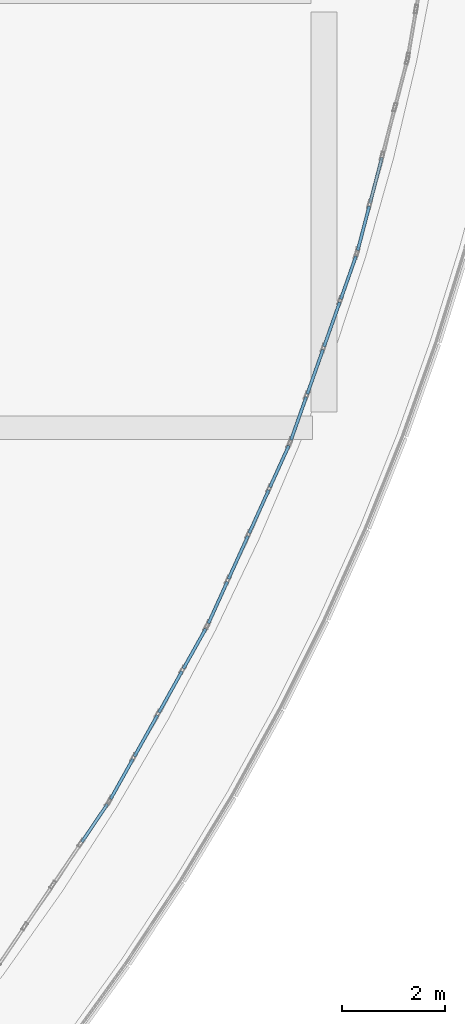
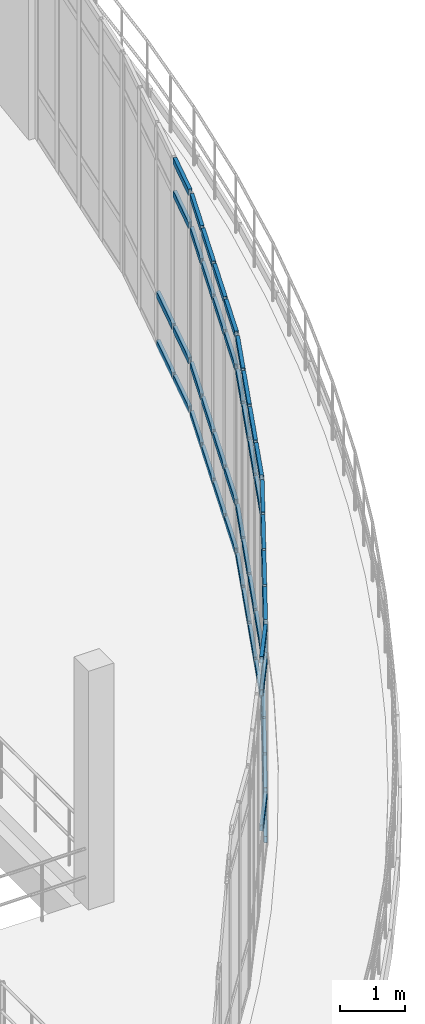
# One storey, part 82 of 116: 57 members, 5 elements without a shape of their own.
"""IFC4 building model written with IfcOpenShell, lengths in metres."""

from ifc_helpers import new_model, si_unit, direction, frame, origin, origin_2d, place, context, subcontext, project, spatial, hollow_rectangle, extrude, material, material_profile, profile_set, type_object, element, aggregate, save


model = new_model("IFC4")

# Units and contexts
model_context = context("Model", 3, precision=1e-05, world=origin(), true_north=direction((0.0, 1.0)))
body_context = subcontext(model_context, "Body", "Model", "MODEL_VIEW")
ifc_project = project(units=[si_unit("LENGTHUNIT", "METRE"), si_unit("AREAUNIT", "SQUARE_METRE"), si_unit("VOLUMEUNIT", "CUBIC_METRE"), si_unit("PLANEANGLEUNIT", "RADIAN"), si_unit("MASSUNIT", "GRAM", prefix="KILO")], contexts=[model_context])

# Site, building, storey
site_placement = place(None, origin())
site = spatial("IfcSite", under=ifc_project, at=site_placement, CompositionType="ELEMENT")
building_placement = place(site_placement, origin())
building = spatial("IfcBuilding", under=site, at=building_placement, Name="Kalluvel Institute of Natural Sciences", CompositionType="ELEMENT")
storey_placement = place(building_placement, frame((0.0, 0.0, 14.39990234375)))
storey = spatial("IfcBuildingStorey", under=building, at=storey_placement, Name="L03", CompositionType="ELEMENT", Elevation=14.39990234375)

# Curtain wall, members
ifc_material = material(Name="Aluminium AW-6063 T6", Category="aluminium")
curtain_wall_type = type_object("IfcCurtainWallType", Name="CW-ATR-ARC", PredefinedType="USERDEFINED", material=ifc_material)
curtain_wall_1_placement = place(storey_placement, origin())
curtain_wall_1 = element("IfcCurtainWall", 1, at=curtain_wall_1_placement, inside=storey, type_object=curtain_wall_type, Name="L03 Gothic lancet curtain wall CWA-L03-X725-Y755", ObjectType="UNITISED LANCET FACADE", PredefinedType="USERDEFINED")
ifc_material_profile = material_profile(ifc_material, hollow_rectangle(XDim=0.06005859375, YDim=0.1201171875, WallThickness=0.00390625, at=origin_2d()), Name="CWT 60x120")
ifc_profile_set = profile_set([ifc_material_profile], Name="Aluminium AW-6063 T6")
member_type = type_object("IfcMemberType", Name="CWT-60x120", PredefinedType="USERDEFINED", material=ifc_profile_set)
member_1_placement = place(storey_placement, frame((74.114501953125, 77.979248046875, 0.9501953125), z_axis=(0.559985687382, 0.828502281184, 0.0), x_axis=(-0.828502281184, 0.559985687382, 0.0)))
member_1 = element("IfcMember", 2, at=member_1_placement, type_object=member_type, Name="CW-05 transom 4.2", ObjectType="TRANSOM", PredefinedType="USERDEFINED", context=body_context, shape_type="SweptSolid", body=[
    extrude(hollow_rectangle(XDim=0.06005859375, YDim=0.1201171875, WallThickness=0.00390625, at=origin_2d()), origin(), (0.0, 0.0, 1.0), 0.8828125),
])
member_2_placement = place(storey_placement, frame((74.114501953125, 77.979248046875, 3.5), z_axis=(0.559985687382, 0.828502281184, 0.0), x_axis=(-0.828502281184, 0.559985687382, 0.0)))
member_2 = element("IfcMember", 3, at=member_2_placement, type_object=member_type, Name="CW-05 transom 4.3", ObjectType="TRANSOM", PredefinedType="USERDEFINED", context=body_context, shape_type="SweptSolid", body=[
    extrude(hollow_rectangle(XDim=0.06005859375, YDim=0.1201171875, WallThickness=0.00390625, at=origin_2d()), origin(), (0.0, 0.0, 1.0), 0.8828125),
])
member_3_placement = place(storey_placement, frame((74.114501953125, 77.979248046875, 4.1201171875), z_axis=(0.559985687382, 0.828502281184, 0.0), x_axis=(-0.828502281184, 0.559985687382, 0.0)))
member_3 = element("IfcMember", 4, at=member_3_placement, type_object=member_type, Name="CW-05 transom 4.4", ObjectType="TRANSOM", PredefinedType="USERDEFINED", context=body_context, shape_type="SweptSolid", body=[
    extrude(hollow_rectangle(XDim=0.06005859375, YDim=0.1201171875, WallThickness=0.00390625, at=origin_2d()), origin(), (0.0, 0.0, 1.0), 0.8828125),
])
aggregate(curtain_wall_1, [member_1, member_2, member_3])

curtain_wall_2_placement = place(storey_placement, origin())
curtain_wall_2 = element("IfcCurtainWall", 5, at=curtain_wall_2_placement, inside=storey, type_object=curtain_wall_type, Name="L03 Gothic lancet curtain wall CWA-L03-X746-Y788", ObjectType="UNITISED LANCET FACADE", PredefinedType="USERDEFINED")
member_4_placement = place(storey_placement, frame((74.671875, 78.81298828125, 0.030029296875), z_axis=(0.487777974522, 0.872967724244, 0.0), x_axis=(-0.872967724244, 0.487777974522, 0.0)))
member_4 = element("IfcMember", 6, at=member_4_placement, type_object=member_type, Name="CW-05 transom 1.1", ObjectType="TRANSOM", PredefinedType="USERDEFINED", context=body_context, shape_type="SweptSolid", body=[
    extrude(hollow_rectangle(XDim=0.06005859375, YDim=0.1201171875, WallThickness=0.00390625, at=origin_2d()), origin(), (0.0, 0.0, 1.0), 0.8828125),
])
member_5_placement = place(storey_placement, frame((74.671875, 78.81298828125, 0.9501953125), z_axis=(0.487777974522, 0.872967724244, 0.0), x_axis=(-0.872967724244, 0.487777974522, 0.0)))
member_5 = element("IfcMember", 7, at=member_5_placement, type_object=member_type, Name="CW-05 transom 1.2", ObjectType="TRANSOM", PredefinedType="USERDEFINED", context=body_context, shape_type="SweptSolid", body=[
    extrude(hollow_rectangle(XDim=0.06005859375, YDim=0.1201171875, WallThickness=0.00390625, at=origin_2d()), origin(), (0.0, 0.0, 1.0), 0.8828125),
])
member_6_placement = place(storey_placement, frame((74.671875, 78.81298828125, 3.5), z_axis=(0.487777974522, 0.872967724244, 0.0), x_axis=(-0.872967724244, 0.487777974522, 0.0)))
member_6 = element("IfcMember", 8, at=member_6_placement, type_object=member_type, Name="CW-05 transom 1.3", ObjectType="TRANSOM", PredefinedType="USERDEFINED", context=body_context, shape_type="SweptSolid", body=[
    extrude(hollow_rectangle(XDim=0.06005859375, YDim=0.1201171875, WallThickness=0.00390625, at=origin_2d()), origin(), (0.0, 0.0, 1.0), 0.8828125),
])
member_7_placement = place(storey_placement, frame((74.671875, 78.81298828125, 4.1201171875), z_axis=(0.487777974522, 0.872967724244, 0.0), x_axis=(-0.872967724244, 0.487777974522, 0.0)))
member_7 = element("IfcMember", 9, at=member_7_placement, type_object=member_type, Name="CW-05 transom 1.4", ObjectType="TRANSOM", PredefinedType="USERDEFINED", context=body_context, shape_type="SweptSolid", body=[
    extrude(hollow_rectangle(XDim=0.06005859375, YDim=0.1201171875, WallThickness=0.00390625, at=origin_2d()), origin(), (0.0, 0.0, 1.0), 0.8828125),
])
member_8_placement = place(storey_placement, frame((75.1318359375, 79.63623046875, 0.030029296875), z_axis=(0.487617515879, 0.873057362496, 0.0), x_axis=(-0.873057362496, 0.487617515879, 0.0)))
member_8 = element("IfcMember", 10, at=member_8_placement, type_object=member_type, Name="CW-05 transom 2.1", ObjectType="TRANSOM", PredefinedType="USERDEFINED", context=body_context, shape_type="SweptSolid", body=[
    extrude(hollow_rectangle(XDim=0.06005859375, YDim=0.1201171875, WallThickness=0.00390625, at=origin_2d()), origin(), (0.0, 0.0, 1.0), 0.912841796875),
])
member_9_placement = place(storey_placement, frame((75.1318359375, 79.63623046875, 0.9501953125), z_axis=(0.487617515879, 0.873057362496, 0.0), x_axis=(-0.873057362496, 0.487617515879, 0.0)))
member_9 = element("IfcMember", 11, at=member_9_placement, type_object=member_type, Name="CW-05 transom 2.2", ObjectType="TRANSOM", PredefinedType="USERDEFINED", context=body_context, shape_type="SweptSolid", body=[
    extrude(hollow_rectangle(XDim=0.06005859375, YDim=0.1201171875, WallThickness=0.00390625, at=origin_2d()), origin(), (0.0, 0.0, 1.0), 0.912841796875),
])
member_10_placement = place(storey_placement, frame((75.1318359375, 79.63623046875, 3.5), z_axis=(0.487617515879, 0.873057362496, 0.0), x_axis=(-0.873057362496, 0.487617515879, 0.0)))
member_10 = element("IfcMember", 12, at=member_10_placement, type_object=member_type, Name="CW-05 transom 2.3", ObjectType="TRANSOM", PredefinedType="USERDEFINED", context=body_context, shape_type="SweptSolid", body=[
    extrude(hollow_rectangle(XDim=0.06005859375, YDim=0.1201171875, WallThickness=0.00390625, at=origin_2d()), origin(), (0.0, 0.0, 1.0), 0.912841796875),
])
member_11_placement = place(storey_placement, frame((75.1318359375, 79.63623046875, 4.1201171875), z_axis=(0.487617515879, 0.873057362496, 0.0), x_axis=(-0.873057362496, 0.487617515879, 0.0)))
member_11 = element("IfcMember", 13, at=member_11_placement, type_object=member_type, Name="CW-05 transom 2.4", ObjectType="TRANSOM", PredefinedType="USERDEFINED", context=body_context, shape_type="SweptSolid", body=[
    extrude(hollow_rectangle(XDim=0.06005859375, YDim=0.1201171875, WallThickness=0.00390625, at=origin_2d()), origin(), (0.0, 0.0, 1.0), 0.912841796875),
])
member_12_placement = place(storey_placement, frame((75.606201171875, 80.485595703125, 0.030029296875), z_axis=(0.487821357665, 0.872943482137, 0.0), x_axis=(-0.872943482137, 0.487821357665, 0.0)))
member_12 = element("IfcMember", 14, at=member_12_placement, type_object=member_type, Name="CW-05 transom 3.1", ObjectType="TRANSOM", PredefinedType="USERDEFINED", context=body_context, shape_type="SweptSolid", body=[
    extrude(hollow_rectangle(XDim=0.06005859375, YDim=0.1201171875, WallThickness=0.00390625, at=origin_2d()), origin(), (0.0, 0.0, 1.0), 0.912841796875),
])
member_13_placement = place(storey_placement, frame((75.606201171875, 80.485595703125, 0.9501953125), z_axis=(0.487821357665, 0.872943482137, 0.0), x_axis=(-0.872943482137, 0.487821357665, 0.0)))
member_13 = element("IfcMember", 15, at=member_13_placement, type_object=member_type, Name="CW-05 transom 3.2", ObjectType="TRANSOM", PredefinedType="USERDEFINED", context=body_context, shape_type="SweptSolid", body=[
    extrude(hollow_rectangle(XDim=0.06005859375, YDim=0.1201171875, WallThickness=0.00390625, at=origin_2d()), origin(), (0.0, 0.0, 1.0), 0.912841796875),
])
member_14_placement = place(storey_placement, frame((75.606201171875, 80.485595703125, 3.5), z_axis=(0.487821357665, 0.872943482137, 0.0), x_axis=(-0.872943482137, 0.487821357665, 0.0)))
member_14 = element("IfcMember", 16, at=member_14_placement, type_object=member_type, Name="CW-05 transom 3.3", ObjectType="TRANSOM", PredefinedType="USERDEFINED", context=body_context, shape_type="SweptSolid", body=[
    extrude(hollow_rectangle(XDim=0.06005859375, YDim=0.1201171875, WallThickness=0.00390625, at=origin_2d()), origin(), (0.0, 0.0, 1.0), 0.912841796875),
])
member_15_placement = place(storey_placement, frame((75.606201171875, 80.485595703125, 4.1201171875), z_axis=(0.487821357665, 0.872943482137, 0.0), x_axis=(-0.872943482137, 0.487821357665, 0.0)))
member_15 = element("IfcMember", 17, at=member_15_placement, type_object=member_type, Name="CW-05 transom 3.4", ObjectType="TRANSOM", PredefinedType="USERDEFINED", context=body_context, shape_type="SweptSolid", body=[
    extrude(hollow_rectangle(XDim=0.06005859375, YDim=0.1201171875, WallThickness=0.00390625, at=origin_2d()), origin(), (0.0, 0.0, 1.0), 0.912841796875),
])
member_16_placement = place(storey_placement, frame((76.080810546875, 81.3349609375, 0.030029296875), z_axis=(0.487777974522, 0.872967724244, 0.0), x_axis=(-0.872967724244, 0.487777974522, 0.0)))
member_16 = element("IfcMember", 18, at=member_16_placement, type_object=member_type, Name="CW-05 transom 4.1", ObjectType="TRANSOM", PredefinedType="USERDEFINED", context=body_context, shape_type="SweptSolid", body=[
    extrude(hollow_rectangle(XDim=0.06005859375, YDim=0.1201171875, WallThickness=0.00390625, at=origin_2d()), origin(), (0.0, 0.0, 1.0), 0.8828125),
])
member_17_placement = place(storey_placement, frame((76.080810546875, 81.3349609375, 0.9501953125), z_axis=(0.487777974522, 0.872967724244, 0.0), x_axis=(-0.872967724244, 0.487777974522, 0.0)))
member_17 = element("IfcMember", 19, at=member_17_placement, type_object=member_type, Name="CW-05 transom 4.2", ObjectType="TRANSOM", PredefinedType="USERDEFINED", context=body_context, shape_type="SweptSolid", body=[
    extrude(hollow_rectangle(XDim=0.06005859375, YDim=0.1201171875, WallThickness=0.00390625, at=origin_2d()), origin(), (0.0, 0.0, 1.0), 0.8828125),
])
member_18_placement = place(storey_placement, frame((76.080810546875, 81.3349609375, 3.5), z_axis=(0.487777974522, 0.872967724244, 0.0), x_axis=(-0.872967724244, 0.487777974522, 0.0)))
member_18 = element("IfcMember", 20, at=member_18_placement, type_object=member_type, Name="CW-05 transom 4.3", ObjectType="TRANSOM", PredefinedType="USERDEFINED", context=body_context, shape_type="SweptSolid", body=[
    extrude(hollow_rectangle(XDim=0.06005859375, YDim=0.1201171875, WallThickness=0.00390625, at=origin_2d()), origin(), (0.0, 0.0, 1.0), 0.8828125),
])
member_19_placement = place(storey_placement, frame((76.080810546875, 81.3349609375, 4.1201171875), z_axis=(0.487777974522, 0.872967724244, 0.0), x_axis=(-0.872967724244, 0.487777974522, 0.0)))
member_19 = element("IfcMember", 21, at=member_19_placement, type_object=member_type, Name="CW-05 transom 4.4", ObjectType="TRANSOM", PredefinedType="USERDEFINED", context=body_context, shape_type="SweptSolid", body=[
    extrude(hollow_rectangle(XDim=0.06005859375, YDim=0.1201171875, WallThickness=0.00390625, at=origin_2d()), origin(), (0.0, 0.0, 1.0), 0.8828125),
])
aggregate(curtain_wall_2, [member_4, member_5, member_6, member_7, member_8, member_9, member_10, member_11, member_12, member_13, member_14, member_15, member_16, member_17, member_18, member_19])

curtain_wall_3_placement = place(storey_placement, origin())
curtain_wall_3 = element("IfcCurtainWall", 22, at=curtain_wall_3_placement, inside=storey, type_object=curtain_wall_type, Name="L03 Gothic lancet curtain wall CWA-L03-X765-Y822", ObjectType="UNITISED LANCET FACADE", PredefinedType="USERDEFINED")
member_20_placement = place(storey_placement, frame((76.5654296875, 82.212890625, 0.030029296875), z_axis=(0.412031226361, 0.91116972541, 0.0), x_axis=(-0.91116972541, 0.412031226361, 0.0)))
member_20 = element("IfcMember", 23, at=member_20_placement, type_object=member_type, Name="CW-05 transom 1.1", ObjectType="TRANSOM", PredefinedType="USERDEFINED", context=body_context, shape_type="SweptSolid", body=[
    extrude(hollow_rectangle(XDim=0.06005859375, YDim=0.1201171875, WallThickness=0.00390625, at=origin_2d()), origin(), (0.0, 0.0, 1.0), 0.8828125),
])
member_21_placement = place(storey_placement, frame((76.5654296875, 82.212890625, 0.9501953125), z_axis=(0.412031226361, 0.91116972541, 0.0), x_axis=(-0.91116972541, 0.412031226361, 0.0)))
member_21 = element("IfcMember", 24, at=member_21_placement, type_object=member_type, Name="CW-05 transom 1.2", ObjectType="TRANSOM", PredefinedType="USERDEFINED", context=body_context, shape_type="SweptSolid", body=[
    extrude(hollow_rectangle(XDim=0.06005859375, YDim=0.1201171875, WallThickness=0.00390625, at=origin_2d()), origin(), (0.0, 0.0, 1.0), 0.8828125),
])
member_22_placement = place(storey_placement, frame((76.5654296875, 82.212890625, 3.5), z_axis=(0.412031226361, 0.91116972541, 0.0), x_axis=(-0.91116972541, 0.412031226361, 0.0)))
member_22 = element("IfcMember", 25, at=member_22_placement, type_object=member_type, Name="CW-05 transom 1.3", ObjectType="TRANSOM", PredefinedType="USERDEFINED", context=body_context, shape_type="SweptSolid", body=[
    extrude(hollow_rectangle(XDim=0.06005859375, YDim=0.1201171875, WallThickness=0.00390625, at=origin_2d()), origin(), (0.0, 0.0, 1.0), 0.8828125),
])
member_23_placement = place(storey_placement, frame((76.5654296875, 82.212890625, 4.1201171875), z_axis=(0.412031226361, 0.91116972541, 0.0), x_axis=(-0.91116972541, 0.412031226361, 0.0)))
member_23 = element("IfcMember", 26, at=member_23_placement, type_object=member_type, Name="CW-05 transom 1.4", ObjectType="TRANSOM", PredefinedType="USERDEFINED", context=body_context, shape_type="SweptSolid", body=[
    extrude(hollow_rectangle(XDim=0.06005859375, YDim=0.1201171875, WallThickness=0.00390625, at=origin_2d()), origin(), (0.0, 0.0, 1.0), 0.8828125),
])
member_24_placement = place(storey_placement, frame((76.953857421875, 83.072021484375, 0.030029296875), z_axis=(0.411787316004, 0.91127998243, 0.0), x_axis=(-0.91127998243, 0.411787316004, 0.0)))
member_24 = element("IfcMember", 27, at=member_24_placement, type_object=member_type, Name="CW-05 transom 2.1", ObjectType="TRANSOM", PredefinedType="USERDEFINED", context=body_context, shape_type="SweptSolid", body=[
    extrude(hollow_rectangle(XDim=0.06005859375, YDim=0.1201171875, WallThickness=0.00390625, at=origin_2d()), origin(), (0.0, 0.0, 1.0), 0.9130859375),
])
member_25_placement = place(storey_placement, frame((76.953857421875, 83.072021484375, 0.9501953125), z_axis=(0.411787316004, 0.91127998243, 0.0), x_axis=(-0.91127998243, 0.411787316004, 0.0)))
member_25 = element("IfcMember", 28, at=member_25_placement, type_object=member_type, Name="CW-05 transom 2.2", ObjectType="TRANSOM", PredefinedType="USERDEFINED", context=body_context, shape_type="SweptSolid", body=[
    extrude(hollow_rectangle(XDim=0.06005859375, YDim=0.1201171875, WallThickness=0.00390625, at=origin_2d()), origin(), (0.0, 0.0, 1.0), 0.9130859375),
])
member_26_placement = place(storey_placement, frame((76.953857421875, 83.072021484375, 3.5), z_axis=(0.411787316004, 0.91127998243, 0.0), x_axis=(-0.91127998243, 0.411787316004, 0.0)))
member_26 = element("IfcMember", 29, at=member_26_placement, type_object=member_type, Name="CW-05 transom 2.3", ObjectType="TRANSOM", PredefinedType="USERDEFINED", context=body_context, shape_type="SweptSolid", body=[
    extrude(hollow_rectangle(XDim=0.06005859375, YDim=0.1201171875, WallThickness=0.00390625, at=origin_2d()), origin(), (0.0, 0.0, 1.0), 0.9130859375),
])
member_27_placement = place(storey_placement, frame((76.953857421875, 83.072021484375, 4.1201171875), z_axis=(0.411787316004, 0.91127998243, 0.0), x_axis=(-0.91127998243, 0.411787316004, 0.0)))
member_27 = element("IfcMember", 30, at=member_27_placement, type_object=member_type, Name="CW-05 transom 2.4", ObjectType="TRANSOM", PredefinedType="USERDEFINED", context=body_context, shape_type="SweptSolid", body=[
    extrude(hollow_rectangle(XDim=0.06005859375, YDim=0.1201171875, WallThickness=0.00390625, at=origin_2d()), origin(), (0.0, 0.0, 1.0), 0.9130859375),
])
member_28_placement = place(storey_placement, frame((77.3544921875, 83.958740234375, 0.030029296875), z_axis=(0.412109726574, 0.911134223516, 0.0), x_axis=(-0.911134223516, 0.412109726574, 0.0)))
member_28 = element("IfcMember", 31, at=member_28_placement, type_object=member_type, Name="CW-05 transom 3.1", ObjectType="TRANSOM", PredefinedType="USERDEFINED", context=body_context, shape_type="SweptSolid", body=[
    extrude(hollow_rectangle(XDim=0.06005859375, YDim=0.1201171875, WallThickness=0.00390625, at=origin_2d()), origin(), (0.0, 0.0, 1.0), 0.912841796875),
])
member_29_placement = place(storey_placement, frame((77.3544921875, 83.958740234375, 0.9501953125), z_axis=(0.412109726574, 0.911134223516, 0.0), x_axis=(-0.911134223516, 0.412109726574, 0.0)))
member_29 = element("IfcMember", 32, at=member_29_placement, type_object=member_type, Name="CW-05 transom 3.2", ObjectType="TRANSOM", PredefinedType="USERDEFINED", context=body_context, shape_type="SweptSolid", body=[
    extrude(hollow_rectangle(XDim=0.06005859375, YDim=0.1201171875, WallThickness=0.00390625, at=origin_2d()), origin(), (0.0, 0.0, 1.0), 0.912841796875),
])
member_30_placement = place(storey_placement, frame((77.3544921875, 83.958740234375, 3.5), z_axis=(0.412109726574, 0.911134223516, 0.0), x_axis=(-0.911134223516, 0.412109726574, 0.0)))
member_30 = element("IfcMember", 33, at=member_30_placement, type_object=member_type, Name="CW-05 transom 3.3", ObjectType="TRANSOM", PredefinedType="USERDEFINED", context=body_context, shape_type="SweptSolid", body=[
    extrude(hollow_rectangle(XDim=0.06005859375, YDim=0.1201171875, WallThickness=0.00390625, at=origin_2d()), origin(), (0.0, 0.0, 1.0), 0.912841796875),
])
member_31_placement = place(storey_placement, frame((77.3544921875, 83.958740234375, 4.1201171875), z_axis=(0.412109726574, 0.911134223516, 0.0), x_axis=(-0.911134223516, 0.412109726574, 0.0)))
member_31 = element("IfcMember", 34, at=member_31_placement, type_object=member_type, Name="CW-05 transom 3.4", ObjectType="TRANSOM", PredefinedType="USERDEFINED", context=body_context, shape_type="SweptSolid", body=[
    extrude(hollow_rectangle(XDim=0.06005859375, YDim=0.1201171875, WallThickness=0.00390625, at=origin_2d()), origin(), (0.0, 0.0, 1.0), 0.912841796875),
])
member_32_placement = place(storey_placement, frame((77.75537109375, 84.84521484375, 0.030029296875), z_axis=(0.411697842247, 0.911320408358, 0.0), x_axis=(-0.911320408358, 0.411697842247, 0.0)))
member_32 = element("IfcMember", 35, at=member_32_placement, type_object=member_type, Name="CW-05 transom 4.1", ObjectType="TRANSOM", PredefinedType="USERDEFINED", context=body_context, shape_type="SweptSolid", body=[
    extrude(hollow_rectangle(XDim=0.06005859375, YDim=0.1201171875, WallThickness=0.00390625, at=origin_2d()), origin(), (0.0, 0.0, 1.0), 0.883056640625),
])
member_33_placement = place(storey_placement, frame((77.75537109375, 84.84521484375, 0.9501953125), z_axis=(0.411697842247, 0.911320408358, 0.0), x_axis=(-0.911320408358, 0.411697842247, 0.0)))
member_33 = element("IfcMember", 36, at=member_33_placement, type_object=member_type, Name="CW-05 transom 4.2", ObjectType="TRANSOM", PredefinedType="USERDEFINED", context=body_context, shape_type="SweptSolid", body=[
    extrude(hollow_rectangle(XDim=0.06005859375, YDim=0.1201171875, WallThickness=0.00390625, at=origin_2d()), origin(), (0.0, 0.0, 1.0), 0.883056640625),
])
member_34_placement = place(storey_placement, frame((77.75537109375, 84.84521484375, 3.5), z_axis=(0.411697842247, 0.911320408358, 0.0), x_axis=(-0.911320408358, 0.411697842247, 0.0)))
member_34 = element("IfcMember", 37, at=member_34_placement, type_object=member_type, Name="CW-05 transom 4.3", ObjectType="TRANSOM", PredefinedType="USERDEFINED", context=body_context, shape_type="SweptSolid", body=[
    extrude(hollow_rectangle(XDim=0.06005859375, YDim=0.1201171875, WallThickness=0.00390625, at=origin_2d()), origin(), (0.0, 0.0, 1.0), 0.883056640625),
])
member_35_placement = place(storey_placement, frame((77.75537109375, 84.84521484375, 4.1201171875), z_axis=(0.411697842247, 0.911320408358, 0.0), x_axis=(-0.911320408358, 0.411697842247, 0.0)))
member_35 = element("IfcMember", 38, at=member_35_placement, type_object=member_type, Name="CW-05 transom 4.4", ObjectType="TRANSOM", PredefinedType="USERDEFINED", context=body_context, shape_type="SweptSolid", body=[
    extrude(hollow_rectangle(XDim=0.06005859375, YDim=0.1201171875, WallThickness=0.00390625, at=origin_2d()), origin(), (0.0, 0.0, 1.0), 0.883056640625),
])
aggregate(curtain_wall_3, [member_20, member_21, member_22, member_23, member_24, member_25, member_26, member_27, member_28, member_29, member_30, member_31, member_32, member_33, member_34, member_35])

curtain_wall_4_placement = place(storey_placement, origin())
curtain_wall_4 = element("IfcCurtainWall", 39, at=curtain_wall_4_placement, inside=storey, type_object=curtain_wall_type, Name="L03 Gothic lancet curtain wall CWA-L03-X781-Y857", ObjectType="UNITISED LANCET FACADE", PredefinedType="USERDEFINED")
member_36_placement = place(storey_placement, frame((78.16357421875, 85.760986328125, 0.030029296875), z_axis=(0.333181669291, 0.942862649196, 0.0), x_axis=(-0.942862649196, 0.333181669291, 0.0)))
member_36 = element("IfcMember", 40, at=member_36_placement, type_object=member_type, Name="CW-05 transom 1.1", ObjectType="TRANSOM", PredefinedType="USERDEFINED", context=body_context, shape_type="SweptSolid", body=[
    extrude(hollow_rectangle(XDim=0.06005859375, YDim=0.1201171875, WallThickness=0.00390625, at=origin_2d()), origin(), (0.0, 0.0, 1.0), 0.883056640625),
])
member_37_placement = place(storey_placement, frame((78.16357421875, 85.760986328125, 0.9501953125), z_axis=(0.333181669291, 0.942862649196, 0.0), x_axis=(-0.942862649196, 0.333181669291, 0.0)))
member_37 = element("IfcMember", 41, at=member_37_placement, type_object=member_type, Name="CW-05 transom 1.2", ObjectType="TRANSOM", PredefinedType="USERDEFINED", context=body_context, shape_type="SweptSolid", body=[
    extrude(hollow_rectangle(XDim=0.06005859375, YDim=0.1201171875, WallThickness=0.00390625, at=origin_2d()), origin(), (0.0, 0.0, 1.0), 0.883056640625),
])
member_38_placement = place(storey_placement, frame((78.16357421875, 85.760986328125, 3.5), z_axis=(0.333181669291, 0.942862649196, 0.0), x_axis=(-0.942862649196, 0.333181669291, 0.0)))
member_38 = element("IfcMember", 42, at=member_38_placement, type_object=member_type, Name="CW-05 transom 1.3", ObjectType="TRANSOM", PredefinedType="USERDEFINED", context=body_context, shape_type="SweptSolid", body=[
    extrude(hollow_rectangle(XDim=0.06005859375, YDim=0.1201171875, WallThickness=0.00390625, at=origin_2d()), origin(), (0.0, 0.0, 1.0), 0.883056640625),
])
member_39_placement = place(storey_placement, frame((78.16357421875, 85.760986328125, 4.1201171875), z_axis=(0.333181669291, 0.942862649196, 0.0), x_axis=(-0.942862649196, 0.333181669291, 0.0)))
member_39 = element("IfcMember", 43, at=member_39_placement, type_object=member_type, Name="CW-05 transom 1.4", ObjectType="TRANSOM", PredefinedType="USERDEFINED", context=body_context, shape_type="SweptSolid", body=[
    extrude(hollow_rectangle(XDim=0.06005859375, YDim=0.1201171875, WallThickness=0.00390625, at=origin_2d()), origin(), (0.0, 0.0, 1.0), 0.883056640625),
])
member_40_placement = place(storey_placement, frame((78.477783203125, 86.650146484375, 0.030029296875), z_axis=(0.333183760653, 0.942861910163, 0.0), x_axis=(-0.942861910163, 0.333183760653, 0.0)))
member_40 = element("IfcMember", 44, at=member_40_placement, type_object=member_type, Name="CW-05 transom 2.1", ObjectType="TRANSOM", PredefinedType="USERDEFINED", context=body_context, shape_type="SweptSolid", body=[
    extrude(hollow_rectangle(XDim=0.06005859375, YDim=0.1201171875, WallThickness=0.00390625, at=origin_2d()), origin(), (0.0, 0.0, 1.0), 0.9130859375),
])
member_41_placement = place(storey_placement, frame((78.477783203125, 86.650146484375, 0.9501953125), z_axis=(0.333183760653, 0.942861910163, 0.0), x_axis=(-0.942861910163, 0.333183760653, 0.0)))
member_41 = element("IfcMember", 45, at=member_41_placement, type_object=member_type, Name="CW-05 transom 2.2", ObjectType="TRANSOM", PredefinedType="USERDEFINED", context=body_context, shape_type="SweptSolid", body=[
    extrude(hollow_rectangle(XDim=0.06005859375, YDim=0.1201171875, WallThickness=0.00390625, at=origin_2d()), origin(), (0.0, 0.0, 1.0), 0.9130859375),
])
member_42_placement = place(storey_placement, frame((78.477783203125, 86.650146484375, 3.5), z_axis=(0.333183760653, 0.942861910163, 0.0), x_axis=(-0.942861910163, 0.333183760653, 0.0)))
member_42 = element("IfcMember", 46, at=member_42_placement, type_object=member_type, Name="CW-05 transom 2.3", ObjectType="TRANSOM", PredefinedType="USERDEFINED", context=body_context, shape_type="SweptSolid", body=[
    extrude(hollow_rectangle(XDim=0.06005859375, YDim=0.1201171875, WallThickness=0.00390625, at=origin_2d()), origin(), (0.0, 0.0, 1.0), 0.9130859375),
])
member_43_placement = place(storey_placement, frame((78.477783203125, 86.650146484375, 4.1201171875), z_axis=(0.333183760653, 0.942861910163, 0.0), x_axis=(-0.942861910163, 0.333183760653, 0.0)))
member_43 = element("IfcMember", 47, at=member_43_placement, type_object=member_type, Name="CW-05 transom 2.4", ObjectType="TRANSOM", PredefinedType="USERDEFINED", context=body_context, shape_type="SweptSolid", body=[
    extrude(hollow_rectangle(XDim=0.06005859375, YDim=0.1201171875, WallThickness=0.00390625, at=origin_2d()), origin(), (0.0, 0.0, 1.0), 0.9130859375),
])
member_44_placement = place(storey_placement, frame((78.802001953125, 87.567626953125, 0.030029296875), z_axis=(0.333183760653, 0.942861910163, 0.0), x_axis=(-0.942861910163, 0.333183760653, 0.0)))
member_44 = element("IfcMember", 48, at=member_44_placement, type_object=member_type, Name="CW-05 transom 3.1", ObjectType="TRANSOM", PredefinedType="USERDEFINED", context=body_context, shape_type="SweptSolid", body=[
    extrude(hollow_rectangle(XDim=0.06005859375, YDim=0.1201171875, WallThickness=0.00390625, at=origin_2d()), origin(), (0.0, 0.0, 1.0), 0.9130859375),
])
member_45_placement = place(storey_placement, frame((78.802001953125, 87.567626953125, 0.9501953125), z_axis=(0.333183760653, 0.942861910163, 0.0), x_axis=(-0.942861910163, 0.333183760653, 0.0)))
member_45 = element("IfcMember", 49, at=member_45_placement, type_object=member_type, Name="CW-05 transom 3.2", ObjectType="TRANSOM", PredefinedType="USERDEFINED", context=body_context, shape_type="SweptSolid", body=[
    extrude(hollow_rectangle(XDim=0.06005859375, YDim=0.1201171875, WallThickness=0.00390625, at=origin_2d()), origin(), (0.0, 0.0, 1.0), 0.9130859375),
])
member_46_placement = place(storey_placement, frame((78.802001953125, 87.567626953125, 3.5), z_axis=(0.333183760653, 0.942861910163, 0.0), x_axis=(-0.942861910163, 0.333183760653, 0.0)))
member_46 = element("IfcMember", 50, at=member_46_placement, type_object=member_type, Name="CW-05 transom 3.3", ObjectType="TRANSOM", PredefinedType="USERDEFINED", context=body_context, shape_type="SweptSolid", body=[
    extrude(hollow_rectangle(XDim=0.06005859375, YDim=0.1201171875, WallThickness=0.00390625, at=origin_2d()), origin(), (0.0, 0.0, 1.0), 0.9130859375),
])
member_47_placement = place(storey_placement, frame((78.802001953125, 87.567626953125, 4.1201171875), z_axis=(0.333183760653, 0.942861910163, 0.0), x_axis=(-0.942861910163, 0.333183760653, 0.0)))
member_47 = element("IfcMember", 51, at=member_47_placement, type_object=member_type, Name="CW-05 transom 3.4", ObjectType="TRANSOM", PredefinedType="USERDEFINED", context=body_context, shape_type="SweptSolid", body=[
    extrude(hollow_rectangle(XDim=0.06005859375, YDim=0.1201171875, WallThickness=0.00390625, at=origin_2d()), origin(), (0.0, 0.0, 1.0), 0.9130859375),
])
member_48_placement = place(storey_placement, frame((79.1259765625, 88.485107421875, 0.030029296875), z_axis=(0.333181669291, 0.942862649196, 0.0), x_axis=(-0.942862649196, 0.333181669291, 0.0)))
member_48 = element("IfcMember", 52, at=member_48_placement, type_object=member_type, Name="CW-05 transom 4.1", ObjectType="TRANSOM", PredefinedType="USERDEFINED", context=body_context, shape_type="SweptSolid", body=[
    extrude(hollow_rectangle(XDim=0.06005859375, YDim=0.1201171875, WallThickness=0.00390625, at=origin_2d()), origin(), (0.0, 0.0, 1.0), 0.883056640625),
])
member_49_placement = place(storey_placement, frame((79.1259765625, 88.485107421875, 0.9501953125), z_axis=(0.333181669291, 0.942862649196, 0.0), x_axis=(-0.942862649196, 0.333181669291, 0.0)))
member_49 = element("IfcMember", 53, at=member_49_placement, type_object=member_type, Name="CW-05 transom 4.2", ObjectType="TRANSOM", PredefinedType="USERDEFINED", context=body_context, shape_type="SweptSolid", body=[
    extrude(hollow_rectangle(XDim=0.06005859375, YDim=0.1201171875, WallThickness=0.00390625, at=origin_2d()), origin(), (0.0, 0.0, 1.0), 0.883056640625),
])
member_50_placement = place(storey_placement, frame((79.1259765625, 88.485107421875, 3.5), z_axis=(0.333181669291, 0.942862649196, 0.0), x_axis=(-0.942862649196, 0.333181669291, 0.0)))
member_50 = element("IfcMember", 54, at=member_50_placement, type_object=member_type, Name="CW-05 transom 4.3", ObjectType="TRANSOM", PredefinedType="USERDEFINED", context=body_context, shape_type="SweptSolid", body=[
    extrude(hollow_rectangle(XDim=0.06005859375, YDim=0.1201171875, WallThickness=0.00390625, at=origin_2d()), origin(), (0.0, 0.0, 1.0), 0.883056640625),
])
member_51_placement = place(storey_placement, frame((79.1259765625, 88.485107421875, 4.1201171875), z_axis=(0.333181669291, 0.942862649196, 0.0), x_axis=(-0.942862649196, 0.333181669291, 0.0)))
member_51 = element("IfcMember", 55, at=member_51_placement, type_object=member_type, Name="CW-05 transom 4.4", ObjectType="TRANSOM", PredefinedType="USERDEFINED", context=body_context, shape_type="SweptSolid", body=[
    extrude(hollow_rectangle(XDim=0.06005859375, YDim=0.1201171875, WallThickness=0.00390625, at=origin_2d()), origin(), (0.0, 0.0, 1.0), 0.883056640625),
])
aggregate(curtain_wall_4, [member_36, member_37, member_38, member_39, member_40, member_41, member_42, member_43, member_44, member_45, member_46, member_47, member_48, member_49, member_50, member_51])

curtain_wall_5_placement = place(storey_placement, origin())
curtain_wall_5 = element("IfcCurtainWall", 56, at=curtain_wall_5_placement, inside=storey, type_object=curtain_wall_type, Name="L03 Gothic lancet curtain wall CWA-L03-X794-Y894", ObjectType="UNITISED LANCET FACADE", PredefinedType="USERDEFINED")
member_52_placement = place(storey_placement, frame((79.455322265625, 89.43212890625, 0.030029296875), z_axis=(0.251892836261, 0.967755133823, 0.0), x_axis=(-0.967755133823, 0.251892836261, 0.0)))
member_52 = element("IfcMember", 57, at=member_52_placement, type_object=member_type, Name="CW-05 transom 1.1", ObjectType="TRANSOM", PredefinedType="USERDEFINED", context=body_context, shape_type="SweptSolid", body=[
    extrude(hollow_rectangle(XDim=0.06005859375, YDim=0.1201171875, WallThickness=0.00390625, at=origin_2d()), origin(), (0.0, 0.0, 1.0), 0.883056640625),
])
member_53_placement = place(storey_placement, frame((79.455322265625, 89.43212890625, 0.9501953125), z_axis=(0.251892836261, 0.967755133823, 0.0), x_axis=(-0.967755133823, 0.251892836261, 0.0)))
member_53 = element("IfcMember", 58, at=member_53_placement, type_object=member_type, Name="CW-05 transom 1.2", ObjectType="TRANSOM", PredefinedType="USERDEFINED", context=body_context, shape_type="SweptSolid", body=[
    extrude(hollow_rectangle(XDim=0.06005859375, YDim=0.1201171875, WallThickness=0.00390625, at=origin_2d()), origin(), (0.0, 0.0, 1.0), 0.883056640625),
])
member_54_placement = place(storey_placement, frame((79.455322265625, 89.43212890625, 3.5), z_axis=(0.251892836261, 0.967755133823, 0.0), x_axis=(-0.967755133823, 0.251892836261, 0.0)))
member_54 = element("IfcMember", 59, at=member_54_placement, type_object=member_type, Name="CW-05 transom 1.3", ObjectType="TRANSOM", PredefinedType="USERDEFINED", context=body_context, shape_type="SweptSolid", body=[
    extrude(hollow_rectangle(XDim=0.06005859375, YDim=0.1201171875, WallThickness=0.00390625, at=origin_2d()), origin(), (0.0, 0.0, 1.0), 0.883056640625),
])
member_55_placement = place(storey_placement, frame((79.455322265625, 89.43212890625, 4.1201171875), z_axis=(0.251892836261, 0.967755133823, 0.0), x_axis=(-0.967755133823, 0.251892836261, 0.0)))
member_55 = element("IfcMember", 60, at=member_55_placement, type_object=member_type, Name="CW-05 transom 1.4", ObjectType="TRANSOM", PredefinedType="USERDEFINED", context=body_context, shape_type="SweptSolid", body=[
    extrude(hollow_rectangle(XDim=0.06005859375, YDim=0.1201171875, WallThickness=0.00390625, at=origin_2d()), origin(), (0.0, 0.0, 1.0), 0.883056640625),
])
member_56_placement = place(storey_placement, frame((79.69287109375, 90.3447265625, 0.030029296875), z_axis=(0.252149763526, 0.967688222907, 0.0), x_axis=(-0.967688222907, 0.252149763526, 0.0)))
member_56 = element("IfcMember", 61, at=member_56_placement, type_object=member_type, Name="CW-05 transom 2.1", ObjectType="TRANSOM", PredefinedType="USERDEFINED", context=body_context, shape_type="SweptSolid", body=[
    extrude(hollow_rectangle(XDim=0.06005859375, YDim=0.1201171875, WallThickness=0.00390625, at=origin_2d()), origin(), (0.0, 0.0, 1.0), 0.9130859375),
])
member_57_placement = place(storey_placement, frame((79.69287109375, 90.3447265625, 0.9501953125), z_axis=(0.252149763526, 0.967688222907, 0.0), x_axis=(-0.967688222907, 0.252149763526, 0.0)))
member_57 = element("IfcMember", 62, at=member_57_placement, type_object=member_type, Name="CW-05 transom 2.2", ObjectType="TRANSOM", PredefinedType="USERDEFINED", context=body_context, shape_type="SweptSolid", body=[
    extrude(hollow_rectangle(XDim=0.06005859375, YDim=0.1201171875, WallThickness=0.00390625, at=origin_2d()), origin(), (0.0, 0.0, 1.0), 0.9130859375),
])
aggregate(curtain_wall_5, [member_52, member_53, member_54, member_55, member_56, member_57])

save(model, "model.ifc")
